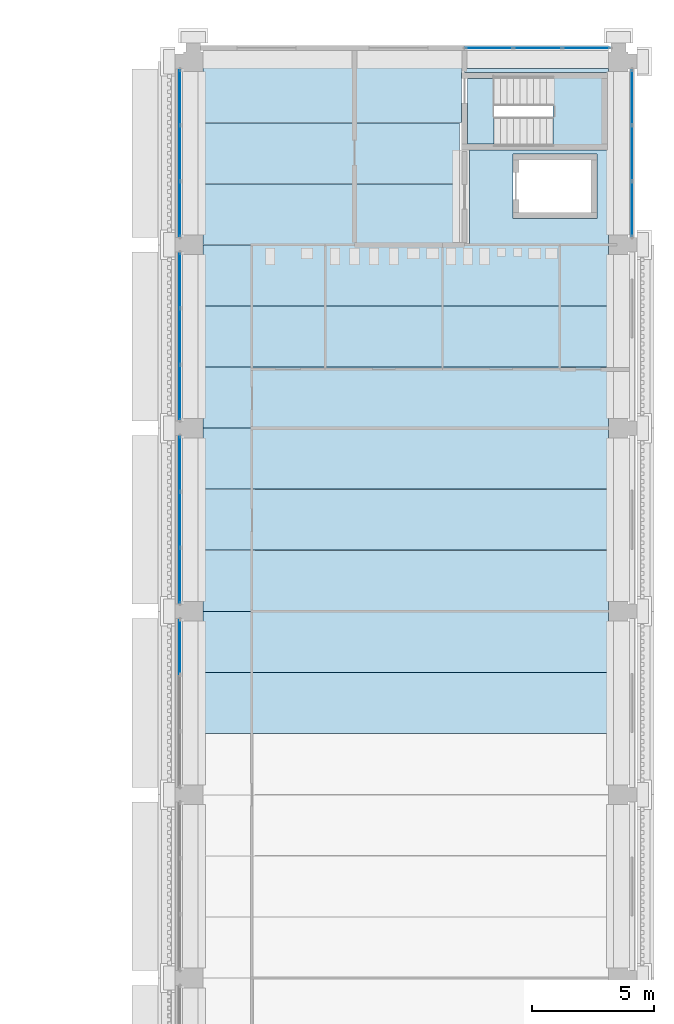
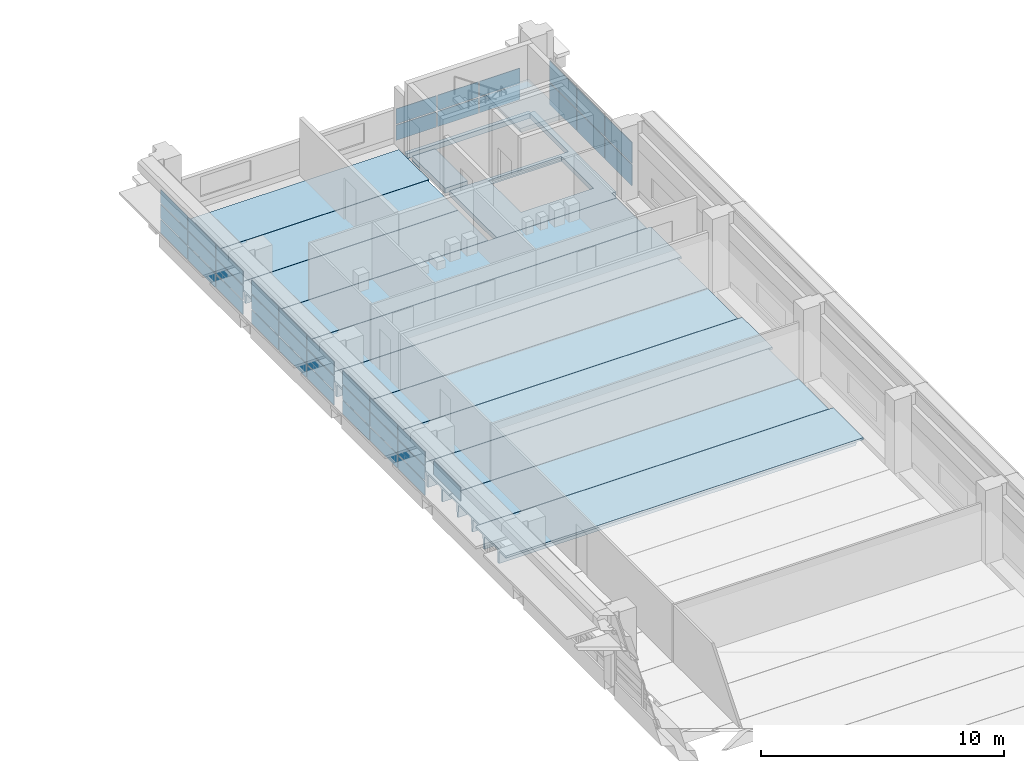
# One storey, part 29 of 71: 40 plates, 14 slabs, 7 elements without a shape of their own.
"""IFC4 building model written with IfcOpenShell, lengths in metres."""

from ifc_helpers import new_model, si_unit, direction, frame, origin, origin_2d, place, context, subcontext, project, spatial, polyline, rectangle, outline, extrude, material, layer, layer_set, material_profile, profile_set, type_object, element, aggregate, save


model = new_model("IFC4")

# Units and contexts
model_context = context("Model", 3, precision=1e-05, world=origin(), true_north=direction((0.0, 1.0)))
body_context = subcontext(model_context, "Body", "Model", "MODEL_VIEW")
ifc_project = project(units=[si_unit("LENGTHUNIT", "METRE"), si_unit("AREAUNIT", "SQUARE_METRE"), si_unit("VOLUMEUNIT", "CUBIC_METRE"), si_unit("PLANEANGLEUNIT", "RADIAN"), si_unit("MASSUNIT", "GRAM", prefix="KILO")], contexts=[model_context])

# Site, building, storey
site_placement = place(None, origin())
site = spatial("IfcSite", under=ifc_project, at=site_placement, CompositionType="ELEMENT")
building_placement = place(site_placement, origin())
building = spatial("IfcBuilding", under=site, at=building_placement, Name="Cour d'Honneur Mobility Palace", CompositionType="ELEMENT")
storey_placement = place(building_placement, frame((0.0, 0.0, 15.60009765625)))
storey = spatial("IfcBuildingStorey", under=building, at=storey_placement, Name="L04", CompositionType="ELEMENT", Elevation=15.60009765625)

# Slabs
ifc_material_1 = material(Name="Concrete C50", Category="concrete")
ifc_layer_1 = layer(ifc_material_1, 0.25)
ifc_layer_set_1 = layer_set([ifc_layer_1], Name="Concrete C50")
slab_type_1 = type_object("IfcSlabType", Name="Cast-in-place Slab 250", PredefinedType="FLOOR", material=ifc_layer_set_1)
slab_1_placement = place(storey_placement, frame((0.0, 0.0, -0.25)))
element("IfcSlab", 1, at=slab_1_placement, inside=storey, type_object=slab_type_1, Name="Cast-in-place slab S1 L04 core", PredefinedType="FLOOR", context=body_context, shape_type="SweptSolid", body=[
    extrude(outline(polyline([(161.89990234375, 114.5), (162.10009765625, 114.5), (162.10009765625, 107.800048828125), (161.89990234375, 107.800048828125), (161.89990234375, 107.39990234375), (156.199951171875, 107.39990234375), (156.199951171875, 111.27490234375), (161.85009765625, 111.27490234375), (161.85009765625, 114.449951171875), (156.0, 114.449951171875), (156.0, 114.625), (161.89990234375, 114.625), (161.89990234375, 114.5)]), holes=[polyline([(161.425048828125, 111.125), (157.97509765625, 111.125), (157.97509765625, 108.47509765625), (161.425048828125, 108.47509765625), (161.425048828125, 111.125)])]), origin(), (0.0, 0.0, 1.0), 0.25),
])
slab_2_placement = place(storey_placement, frame((0.0, 0.0, -0.25)))
element("IfcSlab", 2, at=slab_2_placement, inside=storey, type_object=slab_type_1, Name="Cast-in-place slab S1 L04 core", PredefinedType="FLOOR", context=body_context, shape_type="SweptSolid", body=[
    extrude(outline(polyline([(156.125, 114.199951171875), (157.199951171875, 114.199951171875), (157.199951171875, 111.52490234375), (156.125, 111.52490234375), (156.125, 114.199951171875)])), origin(), (0.0, 0.0, 1.0), 0.25),
])

# Curtain wall, plates
ifc_material_2 = material(Name="Aluminium and glass", Category="aluminium")
ifc_layer_2 = layer(ifc_material_2, 0.10009765625)
ifc_layer_set_2 = layer_set([ifc_layer_2], Name="Aluminium and glass")
curtain_wall_type = type_object("IfcCurtainWallType", Name="Curtain wall run", PredefinedType="NOTDEFINED", material=ifc_layer_set_2)
curtain_wall_1_placement = place(storey_placement, origin())
curtain_wall_1 = element("IfcCurtainWall", 3, at=curtain_wall_1_placement, inside=storey, type_object=curtain_wall_type, Name="Curtain wall CW-65", PredefinedType="NOTDEFINED")
ifc_material_3 = material(Name="Double glazing", Category="glass")
ifc_layer_3 = layer(ifc_material_3, 0.028076171875)
ifc_layer_set_3 = layer_set([ifc_layer_3], Name="Double glazing")
plate_type = type_object("IfcPlateType", Name="Curtain wall panel", PredefinedType="CURTAIN_PANEL", material=ifc_layer_set_3)
plate_1_placement = place(storey_placement, frame((144.35009765625, 113.43505859375, 0.059814453125), z_axis=(0.0, 0.0, 1.0), x_axis=(0.0, -1.0, 0.0)))
plate_1 = element("IfcPlate", 4, at=plate_1_placement, type_object=plate_type, Name="CW-65 panel 1.1", PredefinedType="CURTAIN_PANEL", context=body_context, shape_type="SweptSolid", body=[
    extrude(rectangle(XDim=2.2099609375, YDim=0.028076171875, at=origin_2d()), origin(), (0.0, 0.0, 1.0), 0.6767578125),
])
plate_2_placement = place(storey_placement, frame((144.35009765625, 113.43505859375, 0.79638671875), z_axis=(0.0, 0.0, 1.0), x_axis=(0.0, -1.0, 0.0)))
plate_2 = element("IfcPlate", 5, at=plate_2_placement, type_object=plate_type, Name="CW-65 panel 1.2", PredefinedType="CURTAIN_PANEL", context=body_context, shape_type="SweptSolid", body=[
    extrude(rectangle(XDim=2.2099609375, YDim=0.028076171875, at=origin_2d()), origin(), (0.0, 0.0, 1.0), 0.706787109375),
])
plate_3_placement = place(storey_placement, frame((144.35009765625, 113.43505859375, 1.563232421875), z_axis=(0.0, 0.0, 1.0), x_axis=(0.0, -1.0, 0.0)))
plate_3 = element("IfcPlate", 6, at=plate_3_placement, type_object=plate_type, Name="CW-65 panel 1.3", PredefinedType="CURTAIN_PANEL", context=body_context, shape_type="SweptSolid", body=[
    extrude(rectangle(XDim=2.2099609375, YDim=0.028076171875, at=origin_2d()), origin(), (0.0, 0.0, 1.0), 0.6767578125),
])
plate_4_placement = place(storey_placement, frame((144.35009765625, 111.14990234375, 0.059814453125), z_axis=(0.0, 0.0, 1.0), x_axis=(0.0, -1.0, 0.0)))
plate_4 = element("IfcPlate", 7, at=plate_4_placement, type_object=plate_type, Name="CW-65 panel 2.1", PredefinedType="CURTAIN_PANEL", context=body_context, shape_type="SweptSolid", body=[
    extrude(rectangle(XDim=2.239990234375, YDim=0.028076171875, at=origin_2d()), origin(), (0.0, 0.0, 1.0), 0.6767578125),
])
plate_5_placement = place(storey_placement, frame((144.35009765625, 111.14990234375, 0.79638671875), z_axis=(0.0, 0.0, 1.0), x_axis=(0.0, -1.0, 0.0)))
plate_5 = element("IfcPlate", 8, at=plate_5_placement, type_object=plate_type, Name="CW-65 panel 2.2", PredefinedType="CURTAIN_PANEL", context=body_context, shape_type="SweptSolid", body=[
    extrude(rectangle(XDim=2.239990234375, YDim=0.028076171875, at=origin_2d()), origin(), (0.0, 0.0, 1.0), 0.706787109375),
])
plate_6_placement = place(storey_placement, frame((144.35009765625, 111.14990234375, 1.563232421875), z_axis=(0.0, 0.0, 1.0), x_axis=(0.0, -1.0, 0.0)))
plate_6 = element("IfcPlate", 9, at=plate_6_placement, type_object=plate_type, Name="CW-65 panel 2.3", PredefinedType="CURTAIN_PANEL", context=body_context, shape_type="SweptSolid", body=[
    extrude(rectangle(XDim=2.239990234375, YDim=0.028076171875, at=origin_2d()), origin(), (0.0, 0.0, 1.0), 0.6767578125),
])
plate_7_placement = place(storey_placement, frame((144.35009765625, 108.864990234375, 0.059814453125), z_axis=(0.0, 0.0, 1.0), x_axis=(0.0, -1.0, 0.0)))
plate_7 = element("IfcPlate", 10, at=plate_7_placement, type_object=plate_type, Name="CW-65 panel 3.1", PredefinedType="CURTAIN_PANEL", context=body_context, shape_type="SweptSolid", body=[
    extrude(rectangle(XDim=2.2099609375, YDim=0.028076171875, at=origin_2d()), origin(), (0.0, 0.0, 1.0), 0.6767578125),
])
plate_8_placement = place(storey_placement, frame((144.35009765625, 108.864990234375, 0.79638671875), z_axis=(0.0, 0.0, 1.0), x_axis=(0.0, -1.0, 0.0)))
plate_8 = element("IfcPlate", 11, at=plate_8_placement, type_object=plate_type, Name="CW-65 panel 3.2", PredefinedType="CURTAIN_PANEL", context=body_context, shape_type="SweptSolid", body=[
    extrude(rectangle(XDim=2.2099609375, YDim=0.028076171875, at=origin_2d()), origin(), (0.0, 0.0, 1.0), 0.706787109375),
])
plate_9_placement = place(storey_placement, frame((144.35009765625, 108.864990234375, 1.563232421875), z_axis=(0.0, 0.0, 1.0), x_axis=(0.0, -1.0, 0.0)))
plate_9 = element("IfcPlate", 12, at=plate_9_placement, type_object=plate_type, Name="CW-65 panel 3.3", PredefinedType="CURTAIN_PANEL", context=body_context, shape_type="SweptSolid", body=[
    extrude(rectangle(XDim=2.2099609375, YDim=0.028076171875, at=origin_2d()), origin(), (0.0, 0.0, 1.0), 0.6767578125),
])
aggregate(curtain_wall_1, [plate_1, plate_2, plate_3, plate_4, plate_5, plate_6, plate_7, plate_8, plate_9])

curtain_wall_2_placement = place(storey_placement, origin())
curtain_wall_2 = element("IfcCurtainWall", 13, at=curtain_wall_2_placement, inside=storey, type_object=curtain_wall_type, Name="Curtain wall CW-66", PredefinedType="NOTDEFINED")
plate_10_placement = place(storey_placement, frame((144.35009765625, 105.93505859375, 0.059814453125), z_axis=(0.0, 0.0, 1.0), x_axis=(0.0, -1.0, 0.0)))
plate_10 = element("IfcPlate", 14, at=plate_10_placement, type_object=plate_type, Name="CW-66 panel 1.1", PredefinedType="CURTAIN_PANEL", context=body_context, shape_type="SweptSolid", body=[
    extrude(rectangle(XDim=2.2099609375, YDim=0.028076171875, at=origin_2d()), origin(), (0.0, 0.0, 1.0), 0.6767578125),
])
plate_11_placement = place(storey_placement, frame((144.35009765625, 105.93505859375, 0.79638671875), z_axis=(0.0, 0.0, 1.0), x_axis=(0.0, -1.0, 0.0)))
plate_11 = element("IfcPlate", 15, at=plate_11_placement, type_object=plate_type, Name="CW-66 panel 1.2", PredefinedType="CURTAIN_PANEL", context=body_context, shape_type="SweptSolid", body=[
    extrude(rectangle(XDim=2.2099609375, YDim=0.028076171875, at=origin_2d()), origin(), (0.0, 0.0, 1.0), 0.706787109375),
])
plate_12_placement = place(storey_placement, frame((144.35009765625, 105.93505859375, 1.563232421875), z_axis=(0.0, 0.0, 1.0), x_axis=(0.0, -1.0, 0.0)))
plate_12 = element("IfcPlate", 16, at=plate_12_placement, type_object=plate_type, Name="CW-66 panel 1.3", PredefinedType="CURTAIN_PANEL", context=body_context, shape_type="SweptSolid", body=[
    extrude(rectangle(XDim=2.2099609375, YDim=0.028076171875, at=origin_2d()), origin(), (0.0, 0.0, 1.0), 0.6767578125),
])
plate_13_placement = place(storey_placement, frame((144.35009765625, 103.64990234375, 0.059814453125), z_axis=(0.0, 0.0, 1.0), x_axis=(0.0, -1.0, 0.0)))
plate_13 = element("IfcPlate", 17, at=plate_13_placement, type_object=plate_type, Name="CW-66 panel 2.1", PredefinedType="CURTAIN_PANEL", context=body_context, shape_type="SweptSolid", body=[
    extrude(rectangle(XDim=2.239990234375, YDim=0.028076171875, at=origin_2d()), origin(), (0.0, 0.0, 1.0), 0.6767578125),
])
plate_14_placement = place(storey_placement, frame((144.35009765625, 103.64990234375, 0.79638671875), z_axis=(0.0, 0.0, 1.0), x_axis=(0.0, -1.0, 0.0)))
plate_14 = element("IfcPlate", 18, at=plate_14_placement, type_object=plate_type, Name="CW-66 panel 2.2", PredefinedType="CURTAIN_PANEL", context=body_context, shape_type="SweptSolid", body=[
    extrude(rectangle(XDim=2.239990234375, YDim=0.028076171875, at=origin_2d()), origin(), (0.0, 0.0, 1.0), 0.706787109375),
])
plate_15_placement = place(storey_placement, frame((144.35009765625, 103.64990234375, 1.563232421875), z_axis=(0.0, 0.0, 1.0), x_axis=(0.0, -1.0, 0.0)))
plate_15 = element("IfcPlate", 19, at=plate_15_placement, type_object=plate_type, Name="CW-66 panel 2.3", PredefinedType="CURTAIN_PANEL", context=body_context, shape_type="SweptSolid", body=[
    extrude(rectangle(XDim=2.239990234375, YDim=0.028076171875, at=origin_2d()), origin(), (0.0, 0.0, 1.0), 0.6767578125),
])
plate_16_placement = place(storey_placement, frame((144.35009765625, 101.364990234375, 0.059814453125), z_axis=(0.0, 0.0, 1.0), x_axis=(0.0, -1.0, 0.0)))
plate_16 = element("IfcPlate", 20, at=plate_16_placement, type_object=plate_type, Name="CW-66 panel 3.1", PredefinedType="CURTAIN_PANEL", context=body_context, shape_type="SweptSolid", body=[
    extrude(rectangle(XDim=2.2099609375, YDim=0.028076171875, at=origin_2d()), origin(), (0.0, 0.0, 1.0), 0.6767578125),
])
plate_17_placement = place(storey_placement, frame((144.35009765625, 101.364990234375, 0.79638671875), z_axis=(0.0, 0.0, 1.0), x_axis=(0.0, -1.0, 0.0)))
plate_17 = element("IfcPlate", 21, at=plate_17_placement, type_object=plate_type, Name="CW-66 panel 3.2", PredefinedType="CURTAIN_PANEL", context=body_context, shape_type="SweptSolid", body=[
    extrude(rectangle(XDim=2.2099609375, YDim=0.028076171875, at=origin_2d()), origin(), (0.0, 0.0, 1.0), 0.706787109375),
])
plate_18_placement = place(storey_placement, frame((144.35009765625, 101.364990234375, 1.563232421875), z_axis=(0.0, 0.0, 1.0), x_axis=(0.0, -1.0, 0.0)))
plate_18 = element("IfcPlate", 22, at=plate_18_placement, type_object=plate_type, Name="CW-66 panel 3.3", PredefinedType="CURTAIN_PANEL", context=body_context, shape_type="SweptSolid", body=[
    extrude(rectangle(XDim=2.2099609375, YDim=0.028076171875, at=origin_2d()), origin(), (0.0, 0.0, 1.0), 0.6767578125),
])
aggregate(curtain_wall_2, [plate_10, plate_11, plate_12, plate_13, plate_14, plate_15, plate_16, plate_17, plate_18])

curtain_wall_3_placement = place(storey_placement, origin())
curtain_wall_3 = element("IfcCurtainWall", 23, at=curtain_wall_3_placement, inside=storey, type_object=curtain_wall_type, Name="Curtain wall CW-67", PredefinedType="NOTDEFINED")
plate_19_placement = place(storey_placement, frame((144.35009765625, 98.43505859375, 0.059814453125), z_axis=(0.0, 0.0, 1.0), x_axis=(0.0, -1.0, 0.0)))
plate_19 = element("IfcPlate", 24, at=plate_19_placement, type_object=plate_type, Name="CW-67 panel 1.1", PredefinedType="CURTAIN_PANEL", context=body_context, shape_type="SweptSolid", body=[
    extrude(rectangle(XDim=2.2099609375, YDim=0.028076171875, at=origin_2d()), origin(), (0.0, 0.0, 1.0), 0.6767578125),
])
plate_20_placement = place(storey_placement, frame((144.35009765625, 98.43505859375, 0.79638671875), z_axis=(0.0, 0.0, 1.0), x_axis=(0.0, -1.0, 0.0)))
plate_20 = element("IfcPlate", 25, at=plate_20_placement, type_object=plate_type, Name="CW-67 panel 1.2", PredefinedType="CURTAIN_PANEL", context=body_context, shape_type="SweptSolid", body=[
    extrude(rectangle(XDim=2.2099609375, YDim=0.028076171875, at=origin_2d()), origin(), (0.0, 0.0, 1.0), 0.706787109375),
])
plate_21_placement = place(storey_placement, frame((144.35009765625, 98.43505859375, 1.563232421875), z_axis=(0.0, 0.0, 1.0), x_axis=(0.0, -1.0, 0.0)))
plate_21 = element("IfcPlate", 26, at=plate_21_placement, type_object=plate_type, Name="CW-67 panel 1.3", PredefinedType="CURTAIN_PANEL", context=body_context, shape_type="SweptSolid", body=[
    extrude(rectangle(XDim=2.2099609375, YDim=0.028076171875, at=origin_2d()), origin(), (0.0, 0.0, 1.0), 0.6767578125),
])
plate_22_placement = place(storey_placement, frame((144.35009765625, 96.14990234375, 0.059814453125), z_axis=(0.0, 0.0, 1.0), x_axis=(0.0, -1.0, 0.0)))
plate_22 = element("IfcPlate", 27, at=plate_22_placement, type_object=plate_type, Name="CW-67 panel 2.1", PredefinedType="CURTAIN_PANEL", context=body_context, shape_type="SweptSolid", body=[
    extrude(rectangle(XDim=2.239990234375, YDim=0.028076171875, at=origin_2d()), origin(), (0.0, 0.0, 1.0), 0.6767578125),
])
plate_23_placement = place(storey_placement, frame((144.35009765625, 96.14990234375, 0.79638671875), z_axis=(0.0, 0.0, 1.0), x_axis=(0.0, -1.0, 0.0)))
plate_23 = element("IfcPlate", 28, at=plate_23_placement, type_object=plate_type, Name="CW-67 panel 2.2", PredefinedType="CURTAIN_PANEL", context=body_context, shape_type="SweptSolid", body=[
    extrude(rectangle(XDim=2.239990234375, YDim=0.028076171875, at=origin_2d()), origin(), (0.0, 0.0, 1.0), 0.706787109375),
])
plate_24_placement = place(storey_placement, frame((144.35009765625, 96.14990234375, 1.563232421875), z_axis=(0.0, 0.0, 1.0), x_axis=(0.0, -1.0, 0.0)))
plate_24 = element("IfcPlate", 29, at=plate_24_placement, type_object=plate_type, Name="CW-67 panel 2.3", PredefinedType="CURTAIN_PANEL", context=body_context, shape_type="SweptSolid", body=[
    extrude(rectangle(XDim=2.239990234375, YDim=0.028076171875, at=origin_2d()), origin(), (0.0, 0.0, 1.0), 0.6767578125),
])
plate_25_placement = place(storey_placement, frame((144.35009765625, 93.864990234375, 0.059814453125), z_axis=(0.0, 0.0, 1.0), x_axis=(0.0, -1.0, 0.0)))
plate_25 = element("IfcPlate", 30, at=plate_25_placement, type_object=plate_type, Name="CW-67 panel 3.1", PredefinedType="CURTAIN_PANEL", context=body_context, shape_type="SweptSolid", body=[
    extrude(rectangle(XDim=2.2099609375, YDim=0.028076171875, at=origin_2d()), origin(), (0.0, 0.0, 1.0), 0.6767578125),
])
plate_26_placement = place(storey_placement, frame((144.35009765625, 93.864990234375, 0.79638671875), z_axis=(0.0, 0.0, 1.0), x_axis=(0.0, -1.0, 0.0)))
plate_26 = element("IfcPlate", 31, at=plate_26_placement, type_object=plate_type, Name="CW-67 panel 3.2", PredefinedType="CURTAIN_PANEL", context=body_context, shape_type="SweptSolid", body=[
    extrude(rectangle(XDim=2.2099609375, YDim=0.028076171875, at=origin_2d()), origin(), (0.0, 0.0, 1.0), 0.706787109375),
])
plate_27_placement = place(storey_placement, frame((144.35009765625, 93.864990234375, 1.563232421875), z_axis=(0.0, 0.0, 1.0), x_axis=(0.0, -1.0, 0.0)))
plate_27 = element("IfcPlate", 32, at=plate_27_placement, type_object=plate_type, Name="CW-67 panel 3.3", PredefinedType="CURTAIN_PANEL", context=body_context, shape_type="SweptSolid", body=[
    extrude(rectangle(XDim=2.2099609375, YDim=0.028076171875, at=origin_2d()), origin(), (0.0, 0.0, 1.0), 0.6767578125),
])
aggregate(curtain_wall_3, [plate_19, plate_20, plate_21, plate_22, plate_23, plate_24, plate_25, plate_26, plate_27])

# Curtain wall, plate
curtain_wall_4_placement = place(storey_placement, origin())
curtain_wall_4 = element("IfcCurtainWall", 33, at=curtain_wall_4_placement, inside=storey, type_object=curtain_wall_type, Name="Curtain wall CW-68", PredefinedType="NOTDEFINED")
plate_28_placement = place(storey_placement, frame((144.35009765625, 90.93505859375, 1.563232421875), z_axis=(0.0, 0.0, 1.0), x_axis=(0.0, -1.0, 0.0)))
plate_28 = element("IfcPlate", 34, at=plate_28_placement, type_object=plate_type, Name="CW-68 panel 1.3", PredefinedType="CURTAIN_PANEL", context=body_context, shape_type="SweptSolid", body=[
    extrude(rectangle(XDim=2.2099609375, YDim=0.028076171875, at=origin_2d()), origin(), (0.0, 0.0, 1.0), 0.6767578125),
])
aggregate(curtain_wall_4, [plate_28])

# Curtain wall, plates
curtain_wall_5_placement = place(storey_placement, origin())
curtain_wall_5 = element("IfcCurtainWall", 35, at=curtain_wall_5_placement, inside=storey, type_object=curtain_wall_type, Name="Curtain wall CW-119", PredefinedType="NOTDEFINED")
plate_29_placement = place(storey_placement, frame((162.85009765625, 108.864990234375, 0.059814453125), z_axis=(0.0, 0.0, 1.0), x_axis=(0.0, 1.0, 0.0)))
plate_29 = element("IfcPlate", 36, at=plate_29_placement, type_object=plate_type, Name="CW-119 panel 1.1", PredefinedType="CURTAIN_PANEL", context=body_context, shape_type="SweptSolid", body=[
    extrude(rectangle(XDim=2.2099609375, YDim=0.028076171875, at=origin_2d()), origin(), (0.0, 0.0, 1.0), 1.06005859375),
])
plate_30_placement = place(storey_placement, frame((162.85009765625, 108.864990234375, 1.179931640625), z_axis=(0.0, 0.0, 1.0), x_axis=(0.0, 1.0, 0.0)))
plate_30 = element("IfcPlate", 37, at=plate_30_placement, type_object=plate_type, Name="CW-119 panel 1.2", PredefinedType="CURTAIN_PANEL", context=body_context, shape_type="SweptSolid", body=[
    extrude(rectangle(XDim=2.2099609375, YDim=0.028076171875, at=origin_2d()), origin(), (0.0, 0.0, 1.0), 1.06005859375),
])
plate_31_placement = place(storey_placement, frame((162.85009765625, 111.14990234375, 0.059814453125), z_axis=(0.0, 0.0, 1.0), x_axis=(0.0, 1.0, 0.0)))
plate_31 = element("IfcPlate", 38, at=plate_31_placement, type_object=plate_type, Name="CW-119 panel 2.1", PredefinedType="CURTAIN_PANEL", context=body_context, shape_type="SweptSolid", body=[
    extrude(rectangle(XDim=2.239990234375, YDim=0.028076171875, at=origin_2d()), origin(), (0.0, 0.0, 1.0), 1.06005859375),
])
plate_32_placement = place(storey_placement, frame((162.85009765625, 111.14990234375, 1.179931640625), z_axis=(0.0, 0.0, 1.0), x_axis=(0.0, 1.0, 0.0)))
plate_32 = element("IfcPlate", 39, at=plate_32_placement, type_object=plate_type, Name="CW-119 panel 2.2", PredefinedType="CURTAIN_PANEL", context=body_context, shape_type="SweptSolid", body=[
    extrude(rectangle(XDim=2.239990234375, YDim=0.028076171875, at=origin_2d()), origin(), (0.0, 0.0, 1.0), 1.06005859375),
])
plate_33_placement = place(storey_placement, frame((162.85009765625, 113.43505859375, 0.059814453125), z_axis=(0.0, 0.0, 1.0), x_axis=(0.0, 1.0, 0.0)))
plate_33 = element("IfcPlate", 40, at=plate_33_placement, type_object=plate_type, Name="CW-119 panel 3.1", PredefinedType="CURTAIN_PANEL", context=body_context, shape_type="SweptSolid", body=[
    extrude(rectangle(XDim=2.2099609375, YDim=0.028076171875, at=origin_2d()), origin(), (0.0, 0.0, 1.0), 1.06005859375),
])
plate_34_placement = place(storey_placement, frame((162.85009765625, 113.43505859375, 1.179931640625), z_axis=(0.0, 0.0, 1.0), x_axis=(0.0, 1.0, 0.0)))
plate_34 = element("IfcPlate", 41, at=plate_34_placement, type_object=plate_type, Name="CW-119 panel 3.2", PredefinedType="CURTAIN_PANEL", context=body_context, shape_type="SweptSolid", body=[
    extrude(rectangle(XDim=2.2099609375, YDim=0.028076171875, at=origin_2d()), origin(), (0.0, 0.0, 1.0), 1.06005859375),
])
aggregate(curtain_wall_5, [plate_29, plate_30, plate_31, plate_32, plate_33, plate_34])

curtain_wall_6_placement = place(storey_placement, origin())
curtain_wall_6 = element("IfcCurtainWall", 42, at=curtain_wall_6_placement, inside=storey, type_object=curtain_wall_type, Name="Curtain wall CW-120", PredefinedType="NOTDEFINED")
plate_35_placement = place(storey_placement, frame((160.985107421875, 115.449951171875, 0.06005859375), z_axis=(0.0, 0.0, 1.0), x_axis=(-1.0, 0.0, 0.0)))
plate_35 = element("IfcPlate", 43, at=plate_35_placement, type_object=plate_type, Name="CW-120 panel 1.1", PredefinedType="CURTAIN_PANEL", context=body_context, shape_type="SweptSolid", body=[
    extrude(rectangle(XDim=1.909912109375, YDim=0.028076171875, at=origin_2d()), origin(), (0.0, 0.0, 1.0), 0.760009765625),
])
plate_36_placement = place(storey_placement, frame((160.985107421875, 115.449951171875, 0.8798828125), z_axis=(0.0, 0.0, 1.0), x_axis=(-1.0, 0.0, 0.0)))
plate_36 = element("IfcPlate", 44, at=plate_36_placement, type_object=plate_type, Name="CW-120 panel 1.2", PredefinedType="CURTAIN_PANEL", context=body_context, shape_type="SweptSolid", body=[
    extrude(rectangle(XDim=1.909912109375, YDim=0.028076171875, at=origin_2d()), origin(), (0.0, 0.0, 1.0), 0.760009765625),
])
plate_37_placement = place(storey_placement, frame((159.0, 115.449951171875, 0.06005859375), z_axis=(0.0, 0.0, 1.0), x_axis=(-1.0, 0.0, 0.0)))
plate_37 = element("IfcPlate", 45, at=plate_37_placement, type_object=plate_type, Name="CW-120 panel 2.1", PredefinedType="CURTAIN_PANEL", context=body_context, shape_type="SweptSolid", body=[
    extrude(rectangle(XDim=1.93994140625, YDim=0.028076171875, at=origin_2d()), origin(), (0.0, 0.0, 1.0), 0.760009765625),
])
plate_38_placement = place(storey_placement, frame((159.0, 115.449951171875, 0.8798828125), z_axis=(0.0, 0.0, 1.0), x_axis=(-1.0, 0.0, 0.0)))
plate_38 = element("IfcPlate", 46, at=plate_38_placement, type_object=plate_type, Name="CW-120 panel 2.2", PredefinedType="CURTAIN_PANEL", context=body_context, shape_type="SweptSolid", body=[
    extrude(rectangle(XDim=1.93994140625, YDim=0.028076171875, at=origin_2d()), origin(), (0.0, 0.0, 1.0), 0.760009765625),
])
plate_39_placement = place(storey_placement, frame((157.014892578125, 115.449951171875, 0.06005859375), z_axis=(0.0, 0.0, 1.0), x_axis=(-1.0, 0.0, 0.0)))
plate_39 = element("IfcPlate", 47, at=plate_39_placement, type_object=plate_type, Name="CW-120 panel 3.1", PredefinedType="CURTAIN_PANEL", context=body_context, shape_type="SweptSolid", body=[
    extrude(rectangle(XDim=1.909912109375, YDim=0.028076171875, at=origin_2d()), origin(), (0.0, 0.0, 1.0), 0.760009765625),
])
plate_40_placement = place(storey_placement, frame((157.014892578125, 115.449951171875, 0.8798828125), z_axis=(0.0, 0.0, 1.0), x_axis=(-1.0, 0.0, 0.0)))
plate_40 = element("IfcPlate", 48, at=plate_40_placement, type_object=plate_type, Name="CW-120 panel 3.2", PredefinedType="CURTAIN_PANEL", context=body_context, shape_type="SweptSolid", body=[
    extrude(rectangle(XDim=1.909912109375, YDim=0.028076171875, at=origin_2d()), origin(), (0.0, 0.0, 1.0), 0.760009765625),
])
aggregate(curtain_wall_6, [plate_35, plate_36, plate_37, plate_38, plate_39, plate_40])

# Slabs
ifc_material_4 = material(Name="Concrete C45", Category="concrete")
ifc_material_profile_1 = material_profile(ifc_material_4, outline(polyline([(-1.2451171875, 0.0), (1.2451171875, 0.0), (1.2451171875, -0.10009765625), (0.679931640625, -0.10009765625), (0.64990234375, -0.60009765625), (0.550048828125, -0.60009765625), (0.52001953125, -0.10009765625), (-0.52001953125, -0.10009765625), (-0.550048828125, -0.60009765625), (-0.64990234375, -0.60009765625), (-0.679931640625, -0.10009765625), (-1.2451171875, -0.10009765625), (-1.2451171875, 0.0)])), Name="DT 2490x600")
ifc_profile_set_1 = profile_set([ifc_material_profile_1], Name="Concrete C45")
slab_type_2 = type_object("IfcSlabType", Name="DT 2490x600", PredefinedType="FLOOR", material=ifc_profile_set_1)
slab_3_placement = place(storey_placement, frame((145.300048828125, 108.64990234375, 0.0), z_axis=(1.0, 0.0, 0.0), x_axis=(0.0, 1.0, 0.0)))
element("IfcSlab", 49, at=slab_3_placement, inside=storey, type_object=slab_type_2, Name="Double tee DT-NE19 L04", PredefinedType="FLOOR", context=body_context, shape_type="SweptSolid", body=[
    extrude(outline(polyline([(-1.2451171875, 0.0), (1.2451171875, 0.0), (1.2451171875, -0.10009765625), (0.679931640625, -0.10009765625), (0.64990234375, -0.60009765625), (0.550048828125, -0.60009765625), (0.52001953125, -0.10009765625), (-0.52001953125, -0.10009765625), (-0.550048828125, -0.60009765625), (-0.64990234375, -0.60009765625), (-0.679931640625, -0.10009765625), (-1.2451171875, -0.10009765625), (-1.2451171875, 0.0)])), origin(), (0.0, 0.0, 1.0), 10.5),
])
slab_4_placement = place(storey_placement, frame((145.10009765625, 111.14990234375, 0.0), z_axis=(1.0, 0.0, 0.0), x_axis=(0.0, 1.0, 0.0)))
element("IfcSlab", 50, at=slab_4_placement, inside=storey, type_object=slab_type_2, Name="Double tee DT-NE20 L04", PredefinedType="FLOOR", context=body_context, shape_type="SweptSolid", body=[
    extrude(outline(polyline([(-1.2451171875, 0.0), (1.2451171875, 0.0), (1.2451171875, -0.10009765625), (0.679931640625, -0.10009765625), (0.64990234375, -0.60009765625), (0.550048828125, -0.60009765625), (0.52001953125, -0.10009765625), (-0.52001953125, -0.10009765625), (-0.550048828125, -0.60009765625), (-0.64990234375, -0.60009765625), (-0.679931640625, -0.10009765625), (-1.2451171875, -0.10009765625), (-1.2451171875, 0.0)])), origin(), (0.0, 0.0, 1.0), 10.699951171875),
])
slab_5_placement = place(storey_placement, frame((145.300048828125, 113.64990234375, 0.0), z_axis=(1.0, 0.0, 0.0), x_axis=(0.0, 1.0, 0.0)))
element("IfcSlab", 51, at=slab_5_placement, inside=storey, type_object=slab_type_2, Name="Double tee DT-NE21 L04", PredefinedType="FLOOR", context=body_context, shape_type="SweptSolid", body=[
    extrude(outline(polyline([(-1.2451171875, 0.0), (1.2451171875, 0.0), (1.2451171875, -0.10009765625), (0.679931640625, -0.10009765625), (0.64990234375, -0.60009765625), (0.550048828125, -0.60009765625), (0.52001953125, -0.10009765625), (-0.52001953125, -0.10009765625), (-0.550048828125, -0.60009765625), (-0.64990234375, -0.60009765625), (-0.679931640625, -0.10009765625), (-1.2451171875, -0.10009765625), (-1.2451171875, 0.0)])), origin(), (0.0, 0.0, 1.0), 10.574951171875),
])
ifc_material_5 = material(Name="Concrete C45", Category="concrete")
ifc_material_profile_2 = material_profile(ifc_material_5, outline(polyline([(-1.2451171875, 0.0), (1.2451171875, 0.0), (1.2451171875, -0.10009765625), (0.679931640625, -0.10009765625), (0.64990234375, -0.75), (0.550048828125, -0.75), (0.52001953125, -0.10009765625), (-0.52001953125, -0.10009765625), (-0.550048828125, -0.75), (-0.64990234375, -0.75), (-0.679931640625, -0.10009765625), (-1.2451171875, -0.10009765625), (-1.2451171875, 0.0)])), Name="DT 2490x750")
ifc_profile_set_2 = profile_set([ifc_material_profile_2], Name="Concrete C45")
slab_type_3 = type_object("IfcSlabType", Name="DT 2490x750", PredefinedType="FLOOR", material=ifc_profile_set_2)
slab_6_placement = place(storey_placement, frame((145.10009765625, 88.64990234375, 0.0), z_axis=(1.0, 0.0, 0.0), x_axis=(0.0, 1.0, 0.0)))
element("IfcSlab", 52, at=slab_6_placement, inside=storey, type_object=slab_type_3, Name="Double tee DT-NE11 L04", PredefinedType="FLOOR", context=body_context, shape_type="SweptSolid", body=[
    extrude(outline(polyline([(-1.2451171875, 0.0), (1.2451171875, 0.0), (1.2451171875, -0.10009765625), (0.679931640625, -0.10009765625), (0.64990234375, -0.75), (0.550048828125, -0.75), (0.52001953125, -0.10009765625), (-0.52001953125, -0.10009765625), (-0.550048828125, -0.75), (-0.64990234375, -0.75), (-0.679931640625, -0.10009765625), (-1.2451171875, -0.10009765625), (-1.2451171875, 0.0)])), origin(), (0.0, 0.0, 1.0), 17.0),
])
for number, where, z_axis, x_axis, name in (
    (53, (145.300048828125, 91.14990234375, 0.0), (1.0, 0.0, 0.0), (0.0, 1.0, 0.0), "Double tee DT-NE12 L04"),
    (54, (145.300048828125, 93.64990234375, 0.0), (1.0, 0.0, 0.0), (0.0, 1.0, 0.0), "Double tee DT-NE13 L04"),
):
    element("IfcSlab", number, at=place(storey_placement, frame(where, z_axis=z_axis, x_axis=x_axis)), inside=storey, type_object=slab_type_3, Name=name, PredefinedType="FLOOR", context=body_context, shape_type="SweptSolid", body=[
        extrude(outline(polyline([(-1.2451171875, 0.0), (1.2451171875, 0.0), (1.2451171875, -0.10009765625), (0.679931640625, -0.10009765625), (0.64990234375, -0.75), (0.550048828125, -0.75), (0.52001953125, -0.10009765625), (-0.52001953125, -0.10009765625), (-0.550048828125, -0.75), (-0.64990234375, -0.75), (-0.679931640625, -0.10009765625), (-1.2451171875, -0.10009765625), (-1.2451171875, 0.0)])), origin(), (0.0, 0.0, 1.0), 16.599853515625),
    ])
slab_7_placement = place(storey_placement, frame((145.10009765625, 96.14990234375, 0.0), z_axis=(1.0, 0.0, 0.0), x_axis=(0.0, 1.0, 0.0)))
element("IfcSlab", 55, at=slab_7_placement, inside=storey, type_object=slab_type_3, Name="Double tee DT-NE14 L04", PredefinedType="FLOOR", context=body_context, shape_type="SweptSolid", body=[
    extrude(outline(polyline([(-1.2451171875, 0.0), (1.2451171875, 0.0), (1.2451171875, -0.10009765625), (0.679931640625, -0.10009765625), (0.64990234375, -0.75), (0.550048828125, -0.75), (0.52001953125, -0.10009765625), (-0.52001953125, -0.10009765625), (-0.550048828125, -0.75), (-0.64990234375, -0.75), (-0.679931640625, -0.10009765625), (-1.2451171875, -0.10009765625), (-1.2451171875, 0.0)])), origin(), (0.0, 0.0, 1.0), 17.0),
])
for number, where, z_axis, x_axis, name in (
    (56, (145.300048828125, 98.64990234375, 0.0), (1.0, 0.0, 0.0), (0.0, 1.0, 0.0), "Double tee DT-NE15 L04"),
    (57, (145.300048828125, 101.14990234375, 0.0), (1.0, 0.0, 0.0), (0.0, 1.0, 0.0), "Double tee DT-NE16 L04"),
):
    element("IfcSlab", number, at=place(storey_placement, frame(where, z_axis=z_axis, x_axis=x_axis)), inside=storey, type_object=slab_type_3, Name=name, PredefinedType="FLOOR", context=body_context, shape_type="SweptSolid", body=[
        extrude(outline(polyline([(-1.2451171875, 0.0), (1.2451171875, 0.0), (1.2451171875, -0.10009765625), (0.679931640625, -0.10009765625), (0.64990234375, -0.75), (0.550048828125, -0.75), (0.52001953125, -0.10009765625), (-0.52001953125, -0.10009765625), (-0.550048828125, -0.75), (-0.64990234375, -0.75), (-0.679931640625, -0.10009765625), (-1.2451171875, -0.10009765625), (-1.2451171875, 0.0)])), origin(), (0.0, 0.0, 1.0), 16.599853515625),
    ])
slab_8_placement = place(storey_placement, frame((145.10009765625, 103.64990234375, 0.0), z_axis=(1.0, 0.0, 0.0), x_axis=(0.0, 1.0, 0.0)))
element("IfcSlab", 58, at=slab_8_placement, inside=storey, type_object=slab_type_3, Name="Double tee DT-NE17 L04", PredefinedType="FLOOR", context=body_context, shape_type="SweptSolid", body=[
    extrude(outline(polyline([(-1.2451171875, 0.0), (1.2451171875, 0.0), (1.2451171875, -0.10009765625), (0.679931640625, -0.10009765625), (0.64990234375, -0.75), (0.550048828125, -0.75), (0.52001953125, -0.10009765625), (-0.52001953125, -0.10009765625), (-0.550048828125, -0.75), (-0.64990234375, -0.75), (-0.679931640625, -0.10009765625), (-1.2451171875, -0.10009765625), (-1.2451171875, 0.0)])), origin(), (0.0, 0.0, 1.0), 17.0),
])
slab_9_placement = place(storey_placement, frame((145.300048828125, 106.14990234375, 0.0), z_axis=(1.0, 0.0, 0.0), x_axis=(0.0, 1.0, 0.0)))
element("IfcSlab", 59, at=slab_9_placement, inside=storey, type_object=slab_type_3, Name="Double tee DT-NE18 L04", PredefinedType="FLOOR", context=body_context, shape_type="SweptSolid", body=[
    extrude(outline(polyline([(-1.2451171875, 0.0), (1.2451171875, 0.0), (1.2451171875, -0.10009765625), (0.679931640625, -0.10009765625), (0.64990234375, -0.75), (0.550048828125, -0.75), (0.52001953125, -0.10009765625), (-0.52001953125, -0.10009765625), (-0.550048828125, -0.75), (-0.64990234375, -0.75), (-0.679931640625, -0.10009765625), (-1.2451171875, -0.10009765625), (-1.2451171875, 0.0)])), origin(), (0.0, 0.0, 1.0), 16.599853515625),
])

# Stair, slab
ifc_material_6 = material(Name="Concrete C50", Category="concrete")
stair_type = type_object("IfcStairType", Name="Stair 20 risers", PredefinedType="HALF_TURN_STAIR", material=ifc_material_6)
stair_placement = place(storey_placement, origin())
stair = element("IfcStair", 60, at=stair_placement, inside=storey, type_object=stair_type, Name="Stair ST-NE1", PredefinedType="HALF_TURN_STAIR")
ifc_material_7 = material(Name="Concrete C50", Category="concrete")
ifc_layer_4 = layer(ifc_material_7, 0.199951171875)
ifc_layer_set_4 = layer_set([ifc_layer_4], Name="Concrete C50")
slab_type_4 = type_object("IfcSlabType", Name="Stair landing", PredefinedType="LANDING", material=ifc_layer_set_4)
slab_10_placement = place(storey_placement, frame((0.0, 0.0, 1.64990234375)))
slab_10 = element("IfcSlab", 61, at=slab_10_placement, type_object=slab_type_4, Name="ST-NE1 landing 1", PredefinedType="LANDING", context=body_context, shape_type="SweptSolid", body=[
    extrude(outline(polyline([(159.6298828125, 111.39990234375), (161.72509765625, 111.39990234375), (161.72509765625, 114.324951171875), (159.6298828125, 114.324951171875), (159.6298828125, 111.39990234375)])), origin(), (0.0, 0.0, 1.0), 0.199951171875),
])
aggregate(stair, [slab_10])

save(model, "model.ifc")
